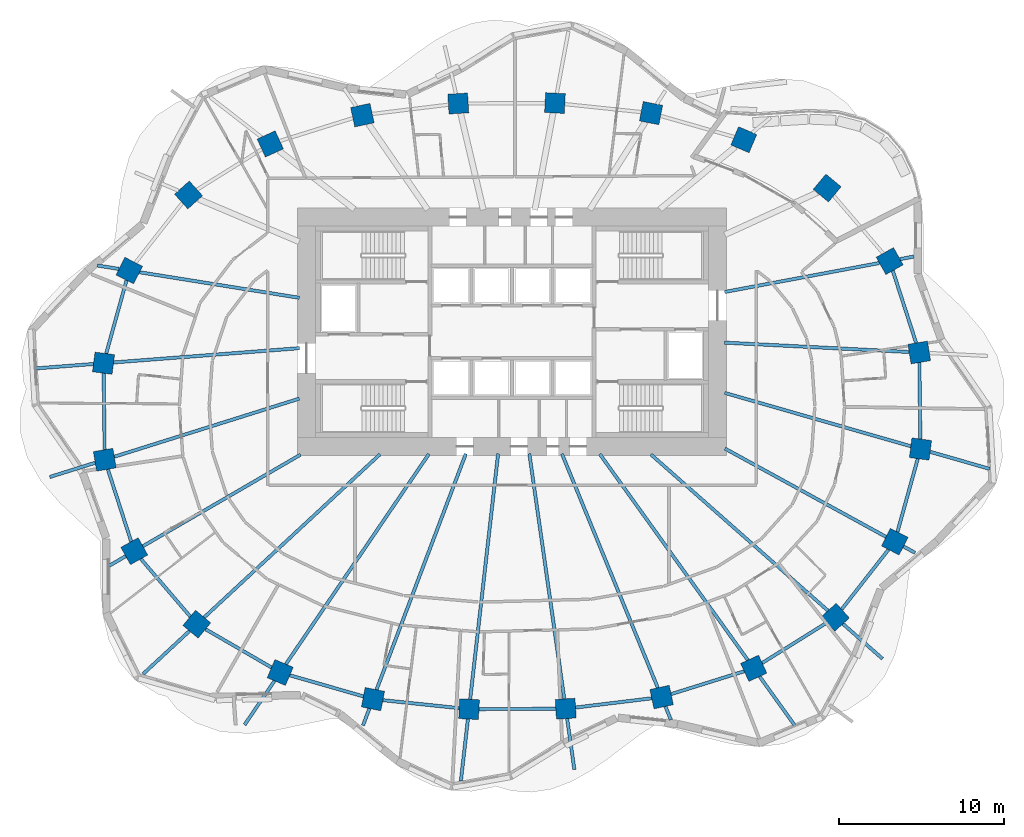
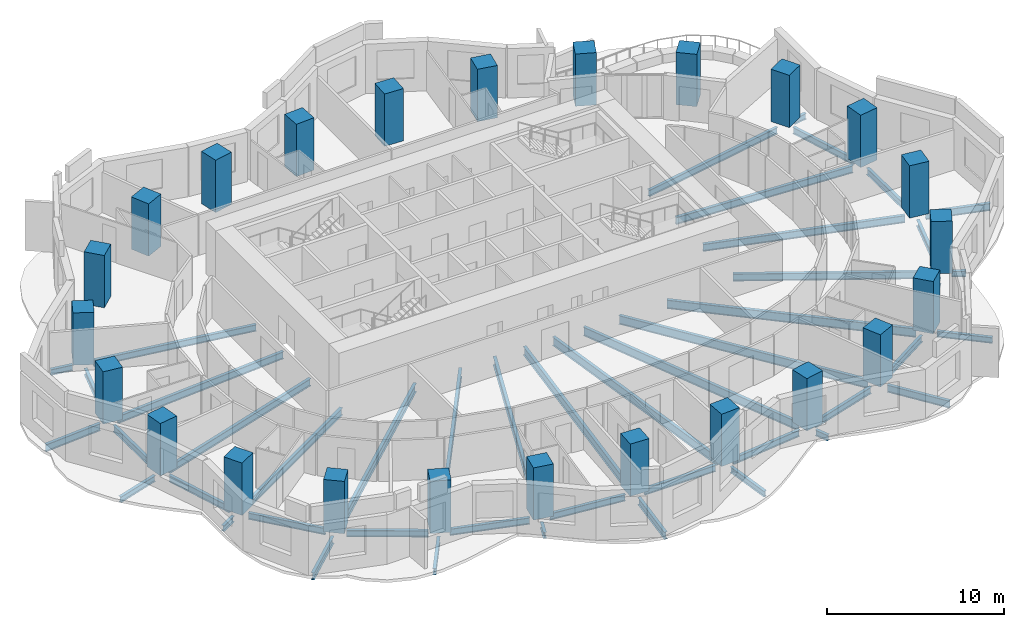
# One storey, part 1 of 14: 46 beams, 24 columns.
"""IFC4 building model written with IfcOpenShell, lengths in metres."""

import ifcopenshell
import ifcopenshell.guid

model = None  # the IFC model being written
_history = None  # IfcOwnerHistory: only IFC2X3 demands one
_inside = {}  # id of a spatial element -> (the spatial element, [elements in it])
_under = {}  # id of a project, library or spatial element -> (it, [spatial elements below it])
_declared = {}  # id of a project -> (the project, [libraries it declares])
_typed = {}  # id of a type object -> (the type object, [elements of that type])
_made_of = {}  # id of a material, layer set ... -> (it, [elements and type objects made of it])


def new_model(schema):
    """Start an empty IFC model of exactly this schema.

    Asked for "IFC4X3", IfcOpenShell would pick the latest addendum, in which some entities
    have other attributes; the version numbers below select the first issue.
    IFC2X3 requires an IfcOwnerHistory on every rooted entity: one is made here for all.
    """
    global model, _history
    if schema == "IFC4X3":
        model = ifcopenshell.file(schema_version=(4, 3, 0, 0))
    else:
        model = ifcopenshell.file(schema=schema)
    _inside.clear()
    _under.clear()
    _declared.clear()
    _typed.clear()
    _made_of.clear()
    _history = None
    if model.schema == "IFC2X3":
        org = make("IfcOrganization", Name="unknown")
        user = make(
            "IfcPersonAndOrganization",
            ThePerson=make("IfcPerson", FamilyName="unknown"),
            TheOrganization=org,
        )
        app = make(
            "IfcApplication",
            ApplicationDeveloper=org,
            Version="unknown",
            ApplicationFullName="unknown",
            ApplicationIdentifier="unknown",
        )
        _history = make(
            "IfcOwnerHistory",
            OwningUser=user,
            OwningApplication=app,
            ChangeAction="ADDED",
            CreationDate=0,
        )
    return model


def make(cls, **values):
    """One entity of the class cls with the attributes given. An attribute that is None is left unset."""
    return model.create_entity(
        cls, **{name: value for name, value in values.items() if value is not None}
    )


def rooted(cls, **values):
    """An entity with a GlobalId (a new one), such as an element, a storey or a relation."""
    return make(cls, GlobalId=ifcopenshell.guid.new(), OwnerHistory=_history, **values)


def si_unit(unit_type, name, prefix=None):
    """IfcSIUnit, for example si_unit("LENGTHUNIT", "METRE", prefix="MILLI")."""
    return make("IfcSIUnit", UnitType=unit_type, Prefix=prefix, Name=name)


def assignment(units):
    """IfcUnitAssignment: the units of a project."""
    return None if units is None else make("IfcUnitAssignment", Units=units)


def point(xyz):
    """IfcCartesianPoint."""
    return None if xyz is None else make("IfcCartesianPoint", Coordinates=xyz)


def direction(xyz):
    """IfcDirection."""
    return None if xyz is None else make("IfcDirection", DirectionRatios=xyz)


def frame(location, z_axis=None, x_axis=None):
    """IfcAxis2Placement3D, a coordinate frame: its origin and axes. An axis left out is left unset."""
    return make(
        "IfcAxis2Placement3D",
        Location=point(location),
        Axis=direction(z_axis),
        RefDirection=direction(x_axis),
    )


def frame_2d(location, x_axis=None):
    """IfcAxis2Placement2D, a coordinate frame in the plane: its origin and x axis."""
    return make(
        "IfcAxis2Placement2D", Location=point(location), RefDirection=direction(x_axis)
    )


def origin():
    """The frame at (0, 0, 0) with its axes left unset."""
    return frame((0.0, 0.0, 0.0))


def origin_2d():
    """The frame at (0, 0) in the plane with its x axis left unset."""
    return frame_2d((0.0, 0.0))


def place(relative_to, where):
    """IfcLocalPlacement: puts the frame where relative to a parent placement (None: the world)."""
    return make(
        "IfcLocalPlacement", PlacementRelTo=relative_to, RelativePlacement=where
    )


def context(
    kind, dimensions, precision=None, world=None, true_north=None, identifier=None
):
    """IfcGeometricRepresentationContext, for example the 3D "Model" context."""
    return make(
        "IfcGeometricRepresentationContext",
        ContextIdentifier=identifier,
        ContextType=kind,
        CoordinateSpaceDimension=dimensions,
        Precision=precision,
        WorldCoordinateSystem=world,
        TrueNorth=true_north,
    )


def subcontext(parent, identifier, kind, view, scale=None):
    """IfcGeometricRepresentationSubContext, for example "Body" below "Model"."""
    return make(
        "IfcGeometricRepresentationSubContext",
        ContextIdentifier=identifier,
        ContextType=kind,
        ParentContext=parent,
        TargetScale=scale,
        TargetView=view,
    )


def project(units=None, contexts=None):
    """IfcProject with its units and contexts."""
    return rooted(
        "IfcProject",
        Name="project",
        RepresentationContexts=contexts,
        UnitsInContext=assignment(units),
    )


def spatial(cls, under=None, at=None, **own):
    """A site, building, storey or space (cls), placed at a placement, below another one or the project."""
    s = rooted(cls, ObjectPlacement=at, **own)
    if under is not None:
        _under.setdefault(under.id(), (under, []))[1].append(s)
    return s


def profile(cls, at=None, kind="AREA", **sizes):
    """A parametric profile (cls). Its sizes go by their IFC names, for example OverallWidth=200.0."""
    return make(cls, ProfileType=kind, Position=at, **sizes)


def rectangle(**sizes):
    """IfcRectangleProfileDef."""
    return profile("IfcRectangleProfileDef", **sizes)


def i_section(**sizes):
    """IfcIShapeProfileDef."""
    return profile("IfcIShapeProfileDef", **sizes)


def extrude(swept, where, along, depth):
    """IfcExtrudedAreaSolid: the profile swept, set in the frame where, extruded along a direction by depth."""
    return make(
        "IfcExtrudedAreaSolid",
        SweptArea=swept,
        Position=where,
        ExtrudedDirection=direction(along),
        Depth=depth,
    )


def shape(context_of_items, identifier, shape_type, items):
    """IfcShapeRepresentation: the items that make up one representation, for example the "Body"."""
    return make(
        "IfcShapeRepresentation",
        ContextOfItems=context_of_items,
        RepresentationIdentifier=identifier,
        RepresentationType=shape_type,
        Items=items,
    )


def material(Name=None, Category=None):
    """IfcMaterial."""
    return make("IfcMaterial", Name=Name, Category=Category)


def material_profile(
    of_material, cross_section, Name=None, Category=None, Priority=None
):
    """IfcMaterialProfile: a cross section and its material."""
    return make(
        "IfcMaterialProfile",
        Name=Name,
        Material=of_material,
        Profile=cross_section,
        Priority=Priority,
        Category=Category,
    )


def profile_set(profiles, Name=None, composite=None):
    """IfcMaterialProfileSet."""
    return make(
        "IfcMaterialProfileSet",
        Name=Name,
        MaterialProfiles=profiles,
        CompositeProfile=composite,
    )


def made_of(thing, what):
    """Note that an element or type object is made of a material, layer set ...; save() writes the relation."""
    if what is not None:
        _made_of.setdefault(what.id(), (what, []))[1].append(thing)
    return thing


def type_object(cls, material=None, **own):
    """A type object (cls), such as IfcWallType, which elements share."""
    return made_of(rooted(cls, **own), material)


def element(
    cls,
    number,
    at=None,
    inside=None,
    cuts=None,
    type_object=None,
    material=None,
    context=None,
    identifier="Body",
    shape_type=None,
    held_by="IfcProductDefinitionShape",
    body=None,
    shapes=None,
    **own,
):
    """One element of the class cls, such as IfcWall. Its Tag is "e" and its number.

    at: its placement. inside: the storey or other place that contains it. cuts: it is an
    opening in that element (IfcRelVoidsElement). A single representation is given by context,
    identifier, shape_type and body (its items); several are given by shapes. held_by: the class
    of the entity that holds the representations. save() writes the other relations.
    """
    e = rooted(cls, Tag="e%d" % number, ObjectPlacement=at, **own)
    if body is not None:
        shapes = [shape(context, identifier, shape_type, body)]
    if shapes is not None:
        e.Representation = make(held_by, Representations=shapes)
    if inside is not None:
        _inside.setdefault(inside.id(), (inside, []))[1].append(e)
    if cuts is not None:
        rooted(
            "IfcRelVoidsElement", RelatingBuildingElement=cuts, RelatedOpeningElement=e
        )
    if type_object is not None:
        _typed.setdefault(type_object.id(), (type_object, []))[1].append(e)
    return made_of(e, material)


def aggregate(whole, parts):
    """IfcRelAggregates: a whole, such as a stair, and the parts it consists of."""
    return rooted("IfcRelAggregates", RelatingObject=whole, RelatedObjects=parts)


def save(model, path):
    """Write the relations noted so far, then the file.

    IfcRelAggregates (storeys below a building ...), IfcRelContainedInSpatialStructure (elements
    in a storey), IfcRelDefinesByType, IfcRelAssociatesMaterial and IfcRelDeclares: one each for
    every whole, place, type object, material and project.
    """
    for whole, parts in _under.values():
        aggregate(whole, parts)
    for where, things in _inside.values():
        rooted(
            "IfcRelContainedInSpatialStructure",
            RelatedElements=things,
            RelatingStructure=where,
        )
    for kind, things in _typed.values():
        rooted("IfcRelDefinesByType", RelatedObjects=things, RelatingType=kind)
    for what, things in _made_of.values():
        rooted("IfcRelAssociatesMaterial", RelatedObjects=things, RelatingMaterial=what)
    for by, libraries in _declared.values():
        rooted("IfcRelDeclares", RelatingContext=by, RelatedDefinitions=libraries)
    model.write(path)


model = new_model("IFC4")

# Units and contexts
model_context = context("Model", 3, precision=1e-05, world=origin(), true_north=direction((0.0, 1.0)))
body_context = subcontext(model_context, "Body", "Model", "MODEL_VIEW")
ifc_project = project(units=[si_unit("LENGTHUNIT", "METRE"), si_unit("AREAUNIT", "SQUARE_METRE"), si_unit("VOLUMEUNIT", "CUBIC_METRE"), si_unit("PLANEANGLEUNIT", "RADIAN"), si_unit("MASSUNIT", "GRAM", prefix="KILO")], contexts=[model_context])

# Site, building, storey
site_placement = place(None, origin())
site = spatial("IfcSite", under=ifc_project, at=site_placement, CompositionType="ELEMENT")
building_placement = place(site_placement, origin())
building = spatial("IfcBuilding", under=site, at=building_placement, Name="Rubra Terraces Tower", CompositionType="ELEMENT")
storey_placement = place(building_placement, frame((0.0, 0.0, 103.199951171875)))
storey = spatial("IfcBuildingStorey", under=building, at=storey_placement, Name="L24", CompositionType="ELEMENT", Elevation=103.199951171875)

# Columns
ifc_material_1 = material(Name="Concrete C60", Category="concrete")
ifc_material_profile_1 = material_profile(ifc_material_1, rectangle(XDim=1.199951171875, YDim=1.199951171875, at=origin_2d()), Name="RC 1200x1200")
ifc_profile_set_1 = profile_set([ifc_material_profile_1], Name="Concrete C60")
column_type = type_object("IfcColumnType", Name="RING COLUMN RC 1200x1200 C60", PredefinedType="COLUMN", material=ifc_profile_set_1)
for number, where, z_axis, x_axis, name in (
    (1, (24.6689453125, 3.248046875, 0.0), (0.0, 0.0, 1.0), (-0.161559167715, 0.986863027642, 0.0), "column-L24-ring-01"),
    (2, (22.87890625, 8.787109375, 0.0), (0.0, 0.0, 1.0), (-0.48852601316, 0.872549330678, 0.0), "column-L24-ring-02"),
    (3, (19.092041015625, 13.208984375, 0.0), (0.0, 0.0, 1.0), (-0.76886986222, 0.63940529789, 0.0), "column-L24-ring-03"),
    (4, (14.0419921875, 16.135986328125, 0.0), (0.0, 0.0, 1.0), (-0.920167856842, 0.391524092789, 0.0), "column-L24-ring-04"),
    (5, (8.422119140625, 17.7490234375, 0.0), (0.0, 0.0, 1.0), (-0.981654668733, 0.19066754143, 0.0), "column-L24-ring-05"),
    (6, (2.60205078125, 18.35791015625, 0.0), (0.0, 0.0, 1.0), (-0.998764256028, 0.049698700995, 0.0), "column-L24-ring-06"),
    (7, (-3.25390625, 18.330078125, 0.0), (0.0, 0.0, 1.0), (-0.998031548759, -0.062713855578, 0.0), "column-L24-ring-07"),
    (8, (-9.06298828125, 17.625, 0.0), (0.0, 0.0, 1.0), (-0.977652674797, -0.210226657352, 0.0), "column-L24-ring-08"),
    (9, (-14.64306640625, 15.881103515625, 0.0), (0.0, 0.0, 1.0), (-0.908778580451, -0.417278673927, 0.0), "column-L24-ring-09"),
    (10, (-19.593017578125, 12.7900390625, 0.0), (0.0, 0.0, 1.0), (-0.744021317198, -0.668155879683, 0.0), "column-L24-ring-10"),
    (11, (-23.18505859375, 8.2099609375, 0.0), (0.0, 0.0, 1.0), (-0.451027931402, -0.892509834733, 0.0), "column-L24-ring-11"),
    (12, (-24.742919921875, 2.59912109375, 0.0), (0.0, 0.0, 1.0), (-0.128443684554, -0.991716804283, 0.0), "column-L24-ring-12"),
    (13, (-24.6689453125, -3.248046875, 0.0), (0.0, 0.0, 1.0), (0.161559167715, -0.986863027642, 0.0), "column-L24-ring-13"),
    (14, (-22.87890625, -8.787109375, 0.0), (0.0, 0.0, 1.0), (0.48852601316, -0.872549330678, 0.0), "column-L24-ring-14"),
    (15, (-19.092041015625, -13.208984375, 0.0), (0.0, 0.0, 1.0), (0.76886986222, -0.63940529789, 0.0), "column-L24-ring-15"),
    (16, (-14.0419921875, -16.135986328125, 0.0), (0.0, 0.0, 1.0), (0.920167856842, -0.391524092789, 0.0), "column-L24-ring-16"),
    (17, (-8.422119140625, -17.7490234375, 0.0), (0.0, 0.0, 1.0), (0.981654668733, -0.19066754143, 0.0), "column-L24-ring-17"),
    (18, (-2.60205078125, -18.35791015625, 0.0), (0.0, 0.0, 1.0), (0.998764256028, -0.049698700995, 0.0), "column-L24-ring-18"),
    (19, (3.25390625, -18.330078125, 0.0), (0.0, 0.0, 1.0), (0.998031548759, 0.062713855578, 0.0), "column-L24-ring-19"),
    (20, (9.06298828125, -17.625, 0.0), (0.0, 0.0, 1.0), (0.977652674797, 0.210226657352, 0.0), "column-L24-ring-20"),
    (21, (14.64306640625, -15.881103515625, 0.0), (0.0, 0.0, 1.0), (0.908778580451, 0.417278673927, 0.0), "column-L24-ring-21"),
    (22, (19.593017578125, -12.7900390625, 0.0), (0.0, 0.0, 1.0), (0.744021317198, 0.668155879683, 0.0), "column-L24-ring-22"),
    (23, (23.18505859375, -8.2099609375, 0.0), (0.0, 0.0, 1.0), (0.451027931402, 0.892509834733, 0.0), "column-L24-ring-23"),
    (24, (24.742919921875, -2.59912109375, 0.0), (0.0, 0.0, 1.0), (0.128443684554, 0.991716804283, 0.0), "column-L24-ring-24"),
):
    element("IfcColumn", number, at=place(storey_placement, frame(where, z_axis=z_axis, x_axis=x_axis)), inside=storey, type_object=column_type, Name=name, PredefinedType="COLUMN", context=body_context, shape_type="SweptSolid", body=[
        extrude(rectangle(XDim=1.199951171875, YDim=1.199951171875, at=origin_2d()), origin(), (0.0, 0.0, 1.0), 3.60009765625),
    ])

# Beams
ifc_material_2 = material(Name="Steel Q355B", Category="steel")
ifc_material_profile_2 = material_profile(ifc_material_2, i_section(OverallWidth=0.199951171875, OverallDepth=0.39990234375, WebThickness=0.008056640625, FlangeThickness=0.012939453125, at=origin_2d()), Name="HN 400x200x8x13")
ifc_profile_set_2 = profile_set([ifc_material_profile_2], Name="Steel Q355B")
beam_type_1 = type_object("IfcBeamType", Name="CANTILEVER BEAM HN 400x200x8x13", PredefinedType="BEAM", material=ifc_profile_set_2)
beam_1_placement = place(storey_placement, frame((-25.2470703125, -3.429931640625, -0.39990234375), z_axis=(-0.954045543107, -0.299661645322, 0.0), x_axis=(0.299661645322, -0.954045543107, 0.0)))
element("IfcBeam", 25, at=beam_1_placement, inside=storey, type_object=beam_type_1, Name="beam-L24-cant-13", PredefinedType="BEAM", context=body_context, shape_type="SweptSolid", body=[
    extrude(i_section(OverallWidth=0.199951171875, OverallDepth=0.39990234375, WebThickness=0.008056640625, FlangeThickness=0.012939453125, at=origin_2d()), origin(), (0.0, 0.0, 1.0), 2.886474609375),
])
beam_2_placement = place(storey_placement, frame((3.339111328125, -18.926025390625, -0.39990234375), z_axis=(0.141004134559, -0.990009007049, 0.0), x_axis=(0.990009007049, 0.141004134559, 0.0)))
element("IfcBeam", 26, at=beam_2_placement, inside=storey, type_object=beam_type_1, Name="beam-L24-cant-19", PredefinedType="BEAM", context=body_context, shape_type="SweptSolid", body=[
    extrude(i_section(OverallWidth=0.199951171875, OverallDepth=0.39990234375, WebThickness=0.008056640625, FlangeThickness=0.012939453125, at=origin_2d()), origin(), (0.0, 0.0, 1.0), 3.113037109375),
])
beam_3_placement = place(storey_placement, frame((20.0458984375, -13.18994140625, -0.39990234375), z_axis=(0.749889181916, -0.661563462447, 0.0), x_axis=(0.661563462447, 0.749889181916, 0.0)))
element("IfcBeam", 27, at=beam_3_placement, inside=storey, type_object=beam_type_1, Name="beam-L24-cant-22", PredefinedType="BEAM", context=body_context, shape_type="SweptSolid", body=[
    extrude(i_section(OverallWidth=0.199951171875, OverallDepth=0.39990234375, WebThickness=0.008056640625, FlangeThickness=0.012939453125, at=origin_2d()), origin(), (0.0, 0.0, 1.0), 3.192626953125),
])
ifc_material_profile_3 = material_profile(ifc_material_2, i_section(OverallWidth=0.198974609375, OverallDepth=0.446044921875, WebThickness=0.008056640625, FlangeThickness=0.011962890625, at=origin_2d()), Name="HN 446x199x8x12")
ifc_profile_set_3 = profile_set([ifc_material_profile_3], Name="Steel Q355B")
beam_type_2 = type_object("IfcBeamType", Name="CANTILEVER BEAM HN 446x199x8x12", PredefinedType="BEAM", material=ifc_profile_set_3)
beam_4_placement = place(storey_placement, frame((-14.385986328125, -16.64208984375, -0.4228515625), z_axis=(-0.562581591021, -0.826741769505, 0.0), x_axis=(0.826741769505, -0.562581591021, 0.0)))
element("IfcBeam", 28, at=beam_4_placement, inside=storey, type_object=beam_type_2, Name="beam-L24-cant-16", PredefinedType="BEAM", context=body_context, shape_type="SweptSolid", body=[
    extrude(i_section(OverallWidth=0.198974609375, OverallDepth=0.446044921875, WebThickness=0.008056640625, FlangeThickness=0.011962890625, at=origin_2d()), origin(), (0.0, 0.0, 1.0), 3.220947265625),
])
ifc_material_profile_4 = material_profile(ifc_material_2, i_section(OverallWidth=0.198974609375, OverallDepth=0.49609375, WebThickness=0.009033203125, FlangeThickness=0.013916015625, at=origin_2d()), Name="HN 496x199x9x14")
ifc_profile_set_4 = profile_set([ifc_material_profile_4], Name="Steel Q355B")
beam_type_3 = type_object("IfcBeamType", Name="CANTILEVER BEAM HN 496x199x9x14", PredefinedType="BEAM", material=ifc_profile_set_4)
beam_5_placement = place(storey_placement, frame((-25.35400390625, 2.552001953125, -0.447998046875), z_axis=(-0.997073018081, -0.076455193514, 0.0), x_axis=(0.076455193514, -0.997073018081, 0.0)))
element("IfcBeam", 29, at=beam_5_placement, inside=storey, type_object=beam_type_3, Name="beam-L24-cant-12", PredefinedType="BEAM", context=body_context, shape_type="SweptSolid", body=[
    extrude(i_section(OverallWidth=0.198974609375, OverallDepth=0.49609375, WebThickness=0.009033203125, FlangeThickness=0.013916015625, at=origin_2d()), origin(), (0.0, 0.0, 1.0), 3.7138671875),
])
beam_6_placement = place(storey_placement, frame((-19.535888671875, -13.6201171875, -0.447998046875), z_axis=(-0.733193505832, -0.680020060737, 0.0), x_axis=(0.680020060737, -0.733193505832, 0.0)))
element("IfcBeam", 30, at=beam_6_placement, inside=storey, type_object=beam_type_3, Name="beam-L24-cant-15", PredefinedType="BEAM", context=body_context, shape_type="SweptSolid", body=[
    extrude(i_section(OverallWidth=0.198974609375, OverallDepth=0.49609375, WebThickness=0.009033203125, FlangeThickness=0.013916015625, at=origin_2d()), origin(), (0.0, 0.0, 1.0), 3.82470703125),
])
beam_7_placement = place(storey_placement, frame((-2.669921875, -18.955078125, -0.447998046875), z_axis=(-0.113077962059, -0.993586118309, 0.0), x_axis=(0.993586118309, -0.113077962059, 0.0)))
element("IfcBeam", 31, at=beam_7_placement, inside=storey, type_object=beam_type_3, Name="beam-L24-cant-18", PredefinedType="BEAM", context=body_context, shape_type="SweptSolid", body=[
    extrude(i_section(OverallWidth=0.198974609375, OverallDepth=0.49609375, WebThickness=0.009033203125, FlangeThickness=0.013916015625, at=origin_2d()), origin(), (0.0, 0.0, 1.0), 3.776123046875),
])
beam_8_placement = place(storey_placement, frame((15.0, -16.376953125, -0.447998046875), z_axis=(0.583285233982, -0.812267404134, 0.0), x_axis=(0.812267404134, 0.583285233982, 0.0)))
element("IfcBeam", 32, at=beam_8_placement, inside=storey, type_object=beam_type_3, Name="beam-L24-cant-21", PredefinedType="BEAM", context=body_context, shape_type="SweptSolid", body=[
    extrude(i_section(OverallWidth=0.198974609375, OverallDepth=0.49609375, WebThickness=0.009033203125, FlangeThickness=0.013916015625, at=origin_2d()), origin(), (0.0, 0.0, 1.0), 3.84375),
])
beam_9_placement = place(storey_placement, frame((25.325927734375, -2.76611328125, -0.447998046875), z_axis=(0.961186424696, -0.275899722691, 0.0), x_axis=(0.275899722691, 0.961186424696, 0.0)))
element("IfcBeam", 33, at=beam_9_placement, inside=storey, type_object=beam_type_3, Name="beam-L24-cant-24", PredefinedType="BEAM", context=body_context, shape_type="SweptSolid", body=[
    extrude(i_section(OverallWidth=0.198974609375, OverallDepth=0.49609375, WebThickness=0.009033203125, FlangeThickness=0.013916015625, at=origin_2d()), origin(), (0.0, 0.0, 1.0), 3.74755859375),
])
ifc_material_profile_5 = material_profile(ifc_material_2, i_section(OverallWidth=0.199951171875, OverallDepth=0.39990234375, WebThickness=0.008056640625, FlangeThickness=0.012939453125, at=origin_2d()), Name="HN 400x200x8x13")
ifc_profile_set_5 = profile_set([ifc_material_profile_5], Name="Steel Q355B")
beam_type_4 = type_object("IfcBeamType", Name="CANTILEVER STUB HN 400x200x8x13", PredefinedType="BEAM", material=ifc_profile_set_5)
beam_10_placement = place(storey_placement, frame((23.5009765625, 8.904052734375, -0.39990234375), z_axis=(0.98300286049, 0.183590240121, 0.0), x_axis=(-0.183590240121, 0.98300286049, 0.0)))
element("IfcBeam", 34, at=beam_10_placement, inside=storey, type_object=beam_type_4, Name="beam-L24-cant-02", PredefinedType="BEAM", context=body_context, shape_type="SweptSolid", body=[
    extrude(i_section(OverallWidth=0.199951171875, OverallDepth=0.39990234375, WebThickness=0.008056640625, FlangeThickness=0.012939453125, at=origin_2d()), origin(), (0.0, 0.0, 1.0), 0.844482421875),
])
beam_11_placement = place(storey_placement, frame((-23.806884765625, 8.31005859375, -0.39990234375), z_axis=(-0.987550478901, 0.157302420904, 0.0), x_axis=(-0.157302420904, -0.987550478901, 0.0)))
element("IfcBeam", 35, at=beam_11_placement, inside=storey, type_object=beam_type_4, Name="beam-L24-cant-11", PredefinedType="BEAM", context=body_context, shape_type="SweptSolid", body=[
    extrude(i_section(OverallWidth=0.199951171875, OverallDepth=0.39990234375, WebThickness=0.008056640625, FlangeThickness=0.012939453125, at=origin_2d()), origin(), (0.0, 0.0, 1.0), 1.32861328125),
])
beam_12_placement = place(storey_placement, frame((-23.39794921875, -9.087890625, -0.39990234375), z_axis=(-0.864635145256, -0.502400304128, 0.0), x_axis=(0.502400304128, -0.864635145256, 0.0)))
element("IfcBeam", 36, at=beam_12_placement, inside=storey, type_object=beam_type_4, Name="beam-L24-cant-14", PredefinedType="BEAM", context=body_context, shape_type="SweptSolid", body=[
    extrude(i_section(OverallWidth=0.199951171875, OverallDepth=0.39990234375, WebThickness=0.008056640625, FlangeThickness=0.012939453125, at=origin_2d()), origin(), (0.0, 0.0, 1.0), 1.156494140625),
])
beam_13_placement = place(storey_placement, frame((-8.637939453125, -18.318115234375, -0.39990234375), z_axis=(-0.353797640274, -0.935321992544, 0.0), x_axis=(0.935321992544, -0.353797640274, 0.0)))
element("IfcBeam", 37, at=beam_13_placement, inside=storey, type_object=beam_type_4, Name="beam-L24-cant-17", PredefinedType="BEAM", context=body_context, shape_type="SweptSolid", body=[
    extrude(i_section(OverallWidth=0.199951171875, OverallDepth=0.39990234375, WebThickness=0.008056640625, FlangeThickness=0.012939453125, at=origin_2d()), origin(), (0.0, 0.0, 1.0), 1.099853515625),
])
beam_14_placement = place(storey_placement, frame((9.2939453125, -18.18896484375, -0.39990234375), z_axis=(0.378654464485, -0.925538111871, 0.0), x_axis=(0.925538111871, 0.378654464485, 0.0)))
element("IfcBeam", 38, at=beam_14_placement, inside=storey, type_object=beam_type_4, Name="beam-L24-cant-20", PredefinedType="BEAM", context=body_context, shape_type="SweptSolid", body=[
    extrude(i_section(OverallWidth=0.199951171875, OverallDepth=0.39990234375, WebThickness=0.008056640625, FlangeThickness=0.012939453125, at=origin_2d()), origin(), (0.0, 0.0, 1.0), 0.87939453125),
])
beam_15_placement = place(storey_placement, frame((23.7109375, -8.4990234375, -0.39990234375), z_axis=(0.877065634334, -0.48037055808, 0.0), x_axis=(0.48037055808, 0.877065634334, 0.0)))
element("IfcBeam", 39, at=beam_15_placement, inside=storey, type_object=beam_type_4, Name="beam-L24-cant-23", PredefinedType="BEAM", context=body_context, shape_type="SweptSolid", body=[
    extrude(i_section(OverallWidth=0.199951171875, OverallDepth=0.39990234375, WebThickness=0.008056640625, FlangeThickness=0.012939453125, at=origin_2d()), origin(), (0.0, 0.0, 1.0), 0.799560546875),
])
ifc_material_profile_6 = material_profile(ifc_material_2, i_section(OverallWidth=0.198974609375, OverallDepth=0.446044921875, WebThickness=0.008056640625, FlangeThickness=0.011962890625, at=origin_2d()), Name="HN 446x199x8x12")
ifc_profile_set_6 = profile_set([ifc_material_profile_6], Name="Steel Q355B")
beam_type_5 = type_object("IfcBeamType", Name="FLOOR BEAM HN 446x199x8x12", PredefinedType="BEAM", material=ifc_profile_set_6)
beam_16_placement = place(storey_placement, frame((22.257080078125, 8.669921875, -0.4228515625), z_axis=(-0.982909257943, -0.184090713102, 0.0), x_axis=(0.184090713102, -0.982909257943, 0.0)))
element("IfcBeam", 40, at=beam_16_placement, inside=storey, type_object=beam_type_5, Name="beam-L24-floor-02", PredefinedType="BEAM", context=body_context, shape_type="SweptSolid", body=[
    extrude(i_section(OverallWidth=0.198974609375, OverallDepth=0.446044921875, WebThickness=0.008056640625, FlangeThickness=0.011962890625, at=origin_2d()), origin(), (0.0, 0.0, 1.0), 9.5380859375),
])
beam_17_placement = place(storey_placement, frame((-22.56298828125, 8.110107421875, -0.4228515625), z_axis=(0.987438611706, -0.158003126908, 0.0), x_axis=(0.158003126908, 0.987438611706, 0.0)))
element("IfcBeam", 41, at=beam_17_placement, inside=storey, type_object=beam_type_5, Name="beam-L24-floor-11", PredefinedType="BEAM", context=body_context, shape_type="SweptSolid", body=[
    extrude(i_section(OverallWidth=0.198974609375, OverallDepth=0.446044921875, WebThickness=0.008056640625, FlangeThickness=0.011962890625, at=origin_2d()), origin(), (0.0, 0.0, 1.0), 9.803955078125),
])
ifc_material_profile_7 = material_profile(ifc_material_2, i_section(OverallWidth=0.198974609375, OverallDepth=0.49609375, WebThickness=0.009033203125, FlangeThickness=0.013916015625, at=origin_2d()), Name="HN 496x199x9x14")
ifc_profile_set_7 = profile_set([ifc_material_profile_7], Name="Steel Q355B")
beam_type_6 = type_object("IfcBeamType", Name="FLOOR BEAM HN 496x199x9x14", PredefinedType="BEAM", material=ifc_profile_set_7)
beam_18_placement = place(storey_placement, frame((24.055908203125, 3.279052734375, -0.447998046875), z_axis=(-0.998716006853, 0.050659033312, 0.0), x_axis=(-0.050659033312, -0.998716006853, 0.0)))
element("IfcBeam", 42, at=beam_18_placement, inside=storey, type_object=beam_type_6, Name="beam-L24-floor-01", PredefinedType="BEAM", context=body_context, shape_type="SweptSolid", body=[
    extrude(i_section(OverallWidth=0.198974609375, OverallDepth=0.49609375, WebThickness=0.009033203125, FlangeThickness=0.013916015625, at=origin_2d()), origin(), (0.0, 0.0, 1.0), 11.1904296875),
])
beam_19_placement = place(storey_placement, frame((-24.132080078125, 2.64599609375, -0.447998046875), z_axis=(0.99706491124, 0.076560843604, 0.0), x_axis=(-0.076560843604, 0.99706491124, 0.0)))
element("IfcBeam", 43, at=beam_19_placement, inside=storey, type_object=beam_type_6, Name="beam-L24-floor-12", PredefinedType="BEAM", context=body_context, shape_type="SweptSolid", body=[
    extrude(i_section(OverallWidth=0.198974609375, OverallDepth=0.49609375, WebThickness=0.009033203125, FlangeThickness=0.013916015625, at=origin_2d()), origin(), (0.0, 0.0, 1.0), 11.285400390625),
])
beam_20_placement = place(storey_placement, frame((-24.091064453125, -3.06591796875, -0.447998046875), z_axis=(0.954061815263, 0.299609834046, 0.0), x_axis=(-0.299609834046, 0.954061815263, 0.0)))
element("IfcBeam", 44, at=beam_20_placement, inside=storey, type_object=beam_type_6, Name="beam-L24-floor-13", PredefinedType="BEAM", context=body_context, shape_type="SweptSolid", body=[
    extrude(i_section(OverallWidth=0.198974609375, OverallDepth=0.49609375, WebThickness=0.009033203125, FlangeThickness=0.013916015625, at=origin_2d()), origin(), (0.0, 0.0, 1.0), 11.74462890625),
])
beam_21_placement = place(storey_placement, frame((-22.360107421875, -8.486083984375, -0.447998046875), z_axis=(0.864729170152, 0.502238451623, 0.0), x_axis=(-0.502238451623, 0.864729170152, 0.0)))
element("IfcBeam", 45, at=beam_21_placement, inside=storey, type_object=beam_type_6, Name="beam-L24-floor-14", PredefinedType="BEAM", context=body_context, shape_type="SweptSolid", body=[
    extrude(i_section(OverallWidth=0.198974609375, OverallDepth=0.49609375, WebThickness=0.009033203125, FlangeThickness=0.013916015625, at=origin_2d()), origin(), (0.0, 0.0, 1.0), 11.04296875),
])
beam_22_placement = place(storey_placement, frame((22.658935546875, -7.9208984375, -0.447998046875), z_axis=(-0.876910796921, 0.480653153785, 0.0), x_axis=(-0.480653153785, -0.876910796921, 0.0)))
element("IfcBeam", 46, at=beam_22_placement, inside=storey, type_object=beam_type_6, Name="beam-L24-floor-23", PredefinedType="BEAM", context=body_context, shape_type="SweptSolid", body=[
    extrude(i_section(OverallWidth=0.198974609375, OverallDepth=0.49609375, WebThickness=0.009033203125, FlangeThickness=0.013916015625, at=origin_2d()), origin(), (0.0, 0.0, 1.0), 11.134521484375),
])
beam_23_placement = place(storey_placement, frame((24.159912109375, -2.431884765625, -0.447998046875), z_axis=(-0.9612201884, 0.275782068691, 0.0), x_axis=(-0.275782068691, -0.9612201884, 0.0)))
element("IfcBeam", 47, at=beam_23_placement, inside=storey, type_object=beam_type_6, Name="beam-L24-floor-24", PredefinedType="BEAM", context=body_context, shape_type="SweptSolid", body=[
    extrude(i_section(OverallWidth=0.198974609375, OverallDepth=0.49609375, WebThickness=0.009033203125, FlangeThickness=0.013916015625, at=origin_2d()), origin(), (0.0, 0.0, 1.0), 11.729736328125),
])
ifc_material_profile_8 = material_profile(ifc_material_2, i_section(OverallWidth=0.198974609375, OverallDepth=0.595947265625, WebThickness=0.010009765625, FlangeThickness=0.014892578125, at=origin_2d()), Name="HN 596x199x10x15")
ifc_profile_set_8 = profile_set([ifc_material_profile_8], Name="Steel Q355B")
beam_type_7 = type_object("IfcBeamType", Name="FLOOR BEAM HN 596x199x10x15", PredefinedType="BEAM", material=ifc_profile_set_8)
beam_24_placement = place(storey_placement, frame((-18.64794921875, -12.798095703125, -0.498046875), z_axis=(0.733104668463, 0.680115832104, 0.0), x_axis=(-0.680115832104, 0.733104668463, 0.0)))
element("IfcBeam", 48, at=beam_24_placement, inside=storey, type_object=beam_type_7, Name="beam-L24-floor-15", PredefinedType="BEAM", context=body_context, shape_type="SweptSolid", body=[
    extrude(i_section(OverallWidth=0.198974609375, OverallDepth=0.595947265625, WebThickness=0.010009765625, FlangeThickness=0.014892578125, at=origin_2d()), origin(), (0.0, 0.0, 1.0), 14.527099609375),
])
beam_25_placement = place(storey_placement, frame((-13.697998046875, -15.6298828125, -0.498046875), z_axis=(0.562593638313, 0.82673357143, 0.0), x_axis=(-0.82673357143, 0.562593638313, 0.0)))
element("IfcBeam", 49, at=beam_25_placement, inside=storey, type_object=beam_type_7, Name="beam-L24-floor-16", PredefinedType="BEAM", context=body_context, shape_type="SweptSolid", body=[
    extrude(i_section(OverallWidth=0.198974609375, OverallDepth=0.595947265625, WebThickness=0.010009765625, FlangeThickness=0.014892578125, at=origin_2d()), origin(), (0.0, 0.0, 1.0), 15.396728515625),
])
beam_26_placement = place(storey_placement, frame((-8.2060546875, -17.179931640625, -0.498046875), z_axis=(0.35395819717, 0.935261244068, 0.0), x_axis=(-0.935261244068, 0.35395819717, 0.0)))
element("IfcBeam", 50, at=beam_26_placement, inside=storey, type_object=beam_type_7, Name="beam-L24-floor-17", PredefinedType="BEAM", context=body_context, shape_type="SweptSolid", body=[
    extrude(i_section(OverallWidth=0.198974609375, OverallDepth=0.595947265625, WebThickness=0.010009765625, FlangeThickness=0.014892578125, at=origin_2d()), origin(), (0.0, 0.0, 1.0), 15.28125),
])
beam_27_placement = place(storey_placement, frame((-2.533935546875, -17.760986328125, -0.498046875), z_axis=(0.113104280783, 0.993583122677, 0.0), x_axis=(-0.993583122677, 0.113104280783, 0.0)))
element("IfcBeam", 51, at=beam_27_placement, inside=storey, type_object=beam_type_7, Name="beam-L24-floor-18", PredefinedType="BEAM", context=body_context, shape_type="SweptSolid", body=[
    extrude(i_section(OverallWidth=0.198974609375, OverallDepth=0.595947265625, WebThickness=0.010009765625, FlangeThickness=0.014892578125, at=origin_2d()), origin(), (0.0, 0.0, 1.0), 14.97607421875),
])
beam_28_placement = place(storey_placement, frame((3.1689453125, -17.73388671875, -0.498046875), z_axis=(-0.141102399867, 0.989995006428, 0.0), x_axis=(-0.989995006428, -0.141102399867, 0.0)))
element("IfcBeam", 52, at=beam_28_placement, inside=storey, type_object=beam_type_7, Name="beam-L24-floor-19", PredefinedType="BEAM", context=body_context, shape_type="SweptSolid", body=[
    extrude(i_section(OverallWidth=0.198974609375, OverallDepth=0.595947265625, WebThickness=0.010009765625, FlangeThickness=0.014892578125, at=origin_2d()), origin(), (0.0, 0.0, 1.0), 15.0029296875),
])
beam_29_placement = place(storey_placement, frame((8.83203125, -17.06103515625, -0.498046875), z_axis=(-0.379038143634, 0.925381048904, 0.0), x_axis=(-0.925381048904, -0.379038143634, 0.0)))
element("IfcBeam", 53, at=beam_29_placement, inside=storey, type_object=beam_type_7, Name="beam-L24-floor-20", PredefinedType="BEAM", context=body_context, shape_type="SweptSolid", body=[
    extrude(i_section(OverallWidth=0.198974609375, OverallDepth=0.595947265625, WebThickness=0.010009765625, FlangeThickness=0.014892578125, at=origin_2d()), origin(), (0.0, 0.0, 1.0), 15.31494140625),
])
beam_30_placement = place(storey_placement, frame((14.285888671875, -15.385009765625, -0.498046875), z_axis=(-0.583480892091, 0.812126867284, 0.0), x_axis=(-0.812126867284, -0.583480892091, 0.0)))
element("IfcBeam", 54, at=beam_30_placement, inside=storey, type_object=beam_type_7, Name="beam-L24-floor-21", PredefinedType="BEAM", context=body_context, shape_type="SweptSolid", body=[
    extrude(i_section(OverallWidth=0.198974609375, OverallDepth=0.595947265625, WebThickness=0.010009765625, FlangeThickness=0.014892578125, at=origin_2d()), origin(), (0.0, 0.0, 1.0), 15.369384765625),
])
beam_31_placement = place(storey_placement, frame((19.139892578125, -12.389892578125, -0.498046875), z_axis=(-0.749820430817, 0.661641384384, 0.0), x_axis=(-0.661641384384, -0.749820430817, 0.0)))
element("IfcBeam", 55, at=beam_31_placement, inside=storey, type_object=beam_type_7, Name="beam-L24-floor-22", PredefinedType="BEAM", context=body_context, shape_type="SweptSolid", body=[
    extrude(i_section(OverallWidth=0.198974609375, OverallDepth=0.595947265625, WebThickness=0.010009765625, FlangeThickness=0.014892578125, at=origin_2d()), origin(), (0.0, 0.0, 1.0), 14.311279296875),
])
ifc_material_profile_9 = material_profile(ifc_material_2, i_section(OverallWidth=0.198974609375, OverallDepth=0.446044921875, WebThickness=0.008056640625, FlangeThickness=0.011962890625, at=origin_2d()), Name="HN 446x199x8x12")
ifc_profile_set_9 = profile_set([ifc_material_profile_9], Name="Steel Q355B")
beam_type_8 = type_object("IfcBeamType", Name="SPANDREL BEAM HN 446x199x8x12", PredefinedType="SPANDREL", material=ifc_profile_set_9)
beam_32_placement = place(storey_placement, frame((24.48193359375, 3.824951171875, -0.4228515625), z_axis=(-0.307414966872, 0.951575555667, 0.0), x_axis=(-0.951575555667, -0.307414966872, 0.0)))
element("IfcBeam", 56, at=beam_32_placement, inside=storey, type_object=beam_type_8, Name="beam-L24-spandrel-01", PredefinedType="SPANDREL", context=body_context, shape_type="SweptSolid", body=[
    extrude(i_section(OverallWidth=0.198974609375, OverallDepth=0.446044921875, WebThickness=0.008056640625, FlangeThickness=0.011962890625, at=origin_2d()), origin(), (0.0, 0.0, 1.0), 4.60302734375),
])
beam_33_placement = place(storey_placement, frame((-23.34912109375, 7.6201171875, -0.4228515625), z_axis=(-0.26752901479, -0.963549804756, 0.0), x_axis=(0.963549804756, -0.26752901479, 0.0)))
element("IfcBeam", 57, at=beam_33_placement, inside=storey, type_object=beam_type_8, Name="beam-L24-spandrel-11", PredefinedType="SPANDREL", context=body_context, shape_type="SweptSolid", body=[
    extrude(i_section(OverallWidth=0.198974609375, OverallDepth=0.446044921875, WebThickness=0.008056640625, FlangeThickness=0.011962890625, at=origin_2d()), origin(), (0.0, 0.0, 1.0), 4.60498046875),
])
beam_34_placement = place(storey_placement, frame((-24.735107421875, 1.992919921875, -0.4228515625), z_axis=(0.012537869063, -0.999921397831, 0.0), x_axis=(0.999921397831, 0.012537869063, 0.0)))
element("IfcBeam", 58, at=beam_34_placement, inside=storey, type_object=beam_type_8, Name="beam-L24-spandrel-12", PredefinedType="SPANDREL", context=body_context, shape_type="SweptSolid", body=[
    extrude(i_section(OverallWidth=0.198974609375, OverallDepth=0.446044921875, WebThickness=0.008056640625, FlangeThickness=0.011962890625, at=origin_2d()), origin(), (0.0, 0.0, 1.0), 4.63427734375),
])
beam_35_placement = place(storey_placement, frame((-24.48193359375, -3.824951171875, -0.4228515625), z_axis=(0.307414966872, -0.951575555667, 0.0), x_axis=(0.951575555667, 0.307414966872, 0.0)))
element("IfcBeam", 59, at=beam_35_placement, inside=storey, type_object=beam_type_8, Name="beam-L24-spandrel-13", PredefinedType="SPANDREL", context=body_context, shape_type="SweptSolid", body=[
    extrude(i_section(OverallWidth=0.198974609375, OverallDepth=0.446044921875, WebThickness=0.008056640625, FlangeThickness=0.011962890625, at=origin_2d()), origin(), (0.0, 0.0, 1.0), 4.60302734375),
])
beam_36_placement = place(storey_placement, frame((-22.48095703125, -9.251953125, -0.4228515625), z_axis=(0.650428637413, -0.759567368726, 0.0), x_axis=(0.759567368726, 0.650428637413, 0.0)))
element("IfcBeam", 60, at=beam_36_placement, inside=storey, type_object=beam_type_8, Name="beam-L24-spandrel-14", PredefinedType="SPANDREL", context=body_context, shape_type="SweptSolid", body=[
    extrude(i_section(OverallWidth=0.198974609375, OverallDepth=0.446044921875, WebThickness=0.008056640625, FlangeThickness=0.011962890625, at=origin_2d()), origin(), (0.0, 0.0, 1.0), 4.6015625),
])
beam_37_placement = place(storey_placement, frame((-18.56494140625, -13.513916015625, -0.4228515625), z_axis=(0.865116425734, -0.501571101565, 0.0), x_axis=(0.501571101565, 0.865116425734, 0.0)))
element("IfcBeam", 61, at=beam_37_placement, inside=storey, type_object=beam_type_8, Name="beam-L24-spandrel-15", PredefinedType="SPANDREL", context=body_context, shape_type="SweptSolid", body=[
    extrude(i_section(OverallWidth=0.198974609375, OverallDepth=0.446044921875, WebThickness=0.008056640625, FlangeThickness=0.011962890625, at=origin_2d()), origin(), (0.0, 0.0, 1.0), 4.62353515625),
])
beam_38_placement = place(storey_placement, frame((-13.4609375, -16.302978515625, -0.4228515625), z_axis=(0.961195652649, -0.275867572085, 0.0), x_axis=(0.275867572085, 0.961195652649, 0.0)))
element("IfcBeam", 62, at=beam_38_placement, inside=storey, type_object=beam_type_8, Name="beam-L24-spandrel-16", PredefinedType="SPANDREL", context=body_context, shape_type="SweptSolid", body=[
    extrude(i_section(OverallWidth=0.198974609375, OverallDepth=0.446044921875, WebThickness=0.008056640625, FlangeThickness=0.011962890625, at=origin_2d()), origin(), (0.0, 0.0, 1.0), 4.639892578125),
])
beam_39_placement = place(storey_placement, frame((-7.822998046875, -17.81201171875, -0.4228515625), z_axis=(0.994588599148, -0.103891859374, 0.0), x_axis=(0.103891859374, 0.994588599148, 0.0)))
element("IfcBeam", 63, at=beam_39_placement, inside=storey, type_object=beam_type_8, Name="beam-L24-spandrel-17", PredefinedType="SPANDREL", context=body_context, shape_type="SweptSolid", body=[
    extrude(i_section(OverallWidth=0.198974609375, OverallDepth=0.446044921875, WebThickness=0.008056640625, FlangeThickness=0.011962890625, at=origin_2d()), origin(), (0.0, 0.0, 1.0), 4.648193359375),
])
beam_40_placement = place(storey_placement, frame((-2.0009765625, -18.35498046875, -0.4228515625), z_axis=(0.99998885538, 0.004721135025, 0.0), x_axis=(-0.004721135025, 0.99998885538, 0.0)))
element("IfcBeam", 64, at=beam_40_placement, inside=storey, type_object=beam_type_8, Name="beam-L24-spandrel-18", PredefinedType="SPANDREL", context=body_context, shape_type="SweptSolid", body=[
    extrude(i_section(OverallWidth=0.198974609375, OverallDepth=0.446044921875, WebThickness=0.008056640625, FlangeThickness=0.011962890625, at=origin_2d()), origin(), (0.0, 0.0, 1.0), 4.654052734375),
])
beam_41_placement = place(storey_placement, frame((3.85107421875, -18.258056640625, -0.4228515625), z_axis=(0.992713612833, 0.120497646851, 0.0), x_axis=(-0.120497646851, 0.992713612833, 0.0)))
element("IfcBeam", 65, at=beam_41_placement, inside=storey, type_object=beam_type_8, Name="beam-L24-spandrel-19", PredefinedType="SPANDREL", context=body_context, shape_type="SweptSolid", body=[
    extrude(i_section(OverallWidth=0.198974609375, OverallDepth=0.446044921875, WebThickness=0.008056640625, FlangeThickness=0.011962890625, at=origin_2d()), origin(), (0.0, 0.0, 1.0), 4.64794921875),
])
beam_42_placement = place(storey_placement, frame((9.637939453125, -17.445068359375, -0.4228515625), z_axis=(0.954462184919, 0.298331925142, 0.0), x_axis=(-0.298331925142, 0.954462184919, 0.0)))
element("IfcBeam", 66, at=beam_42_placement, inside=storey, type_object=beam_type_8, Name="beam-L24-spandrel-20", PredefinedType="SPANDREL", context=body_context, shape_type="SweptSolid", body=[
    extrude(i_section(OverallWidth=0.198974609375, OverallDepth=0.446044921875, WebThickness=0.008056640625, FlangeThickness=0.011962890625, at=origin_2d()), origin(), (0.0, 0.0, 1.0), 4.63916015625),
])
beam_43_placement = place(storey_placement, frame((15.156005859375, -15.56103515625, -0.4228515625), z_axis=(0.848188188849, 0.529695003089, 0.0), x_axis=(-0.529695003089, 0.848188188849, 0.0)))
element("IfcBeam", 67, at=beam_43_placement, inside=storey, type_object=beam_type_8, Name="beam-L24-spandrel-21", PredefinedType="SPANDREL", context=body_context, shape_type="SweptSolid", body=[
    extrude(i_section(OverallWidth=0.198974609375, OverallDepth=0.446044921875, WebThickness=0.008056640625, FlangeThickness=0.011962890625, at=origin_2d()), origin(), (0.0, 0.0, 1.0), 4.62158203125),
])
beam_44_placement = place(storey_placement, frame((19.968994140625, -12.31103515625, -0.4228515625), z_axis=(0.61694919408, 0.787002980886, 0.0), x_axis=(-0.787002980886, 0.61694919408, 0.0)))
element("IfcBeam", 68, at=beam_44_placement, inside=storey, type_object=beam_type_8, Name="beam-L24-spandrel-22", PredefinedType="SPANDREL", context=body_context, shape_type="SweptSolid", body=[
    extrude(i_section(OverallWidth=0.198974609375, OverallDepth=0.446044921875, WebThickness=0.008056640625, FlangeThickness=0.011962890625, at=origin_2d()), origin(), (0.0, 0.0, 1.0), 4.599853515625),
])
beam_45_placement = place(storey_placement, frame((23.34912109375, -7.6201171875, -0.4228515625), z_axis=(0.26752901479, 0.963549804756, 0.0), x_axis=(-0.963549804756, 0.26752901479, 0.0)))
element("IfcBeam", 69, at=beam_45_placement, inside=storey, type_object=beam_type_8, Name="beam-L24-spandrel-23", PredefinedType="SPANDREL", context=body_context, shape_type="SweptSolid", body=[
    extrude(i_section(OverallWidth=0.198974609375, OverallDepth=0.446044921875, WebThickness=0.008056640625, FlangeThickness=0.011962890625, at=origin_2d()), origin(), (0.0, 0.0, 1.0), 4.60498046875),
])
beam_46_placement = place(storey_placement, frame((24.735107421875, -1.992919921875, -0.4228515625), z_axis=(-0.012537869063, 0.999921397831, 0.0), x_axis=(-0.999921397831, -0.012537869063, 0.0)))
element("IfcBeam", 70, at=beam_46_placement, inside=storey, type_object=beam_type_8, Name="beam-L24-spandrel-24", PredefinedType="SPANDREL", context=body_context, shape_type="SweptSolid", body=[
    extrude(i_section(OverallWidth=0.198974609375, OverallDepth=0.446044921875, WebThickness=0.008056640625, FlangeThickness=0.011962890625, at=origin_2d()), origin(), (0.0, 0.0, 1.0), 4.63427734375),
])

save(model, "model.ifc")
